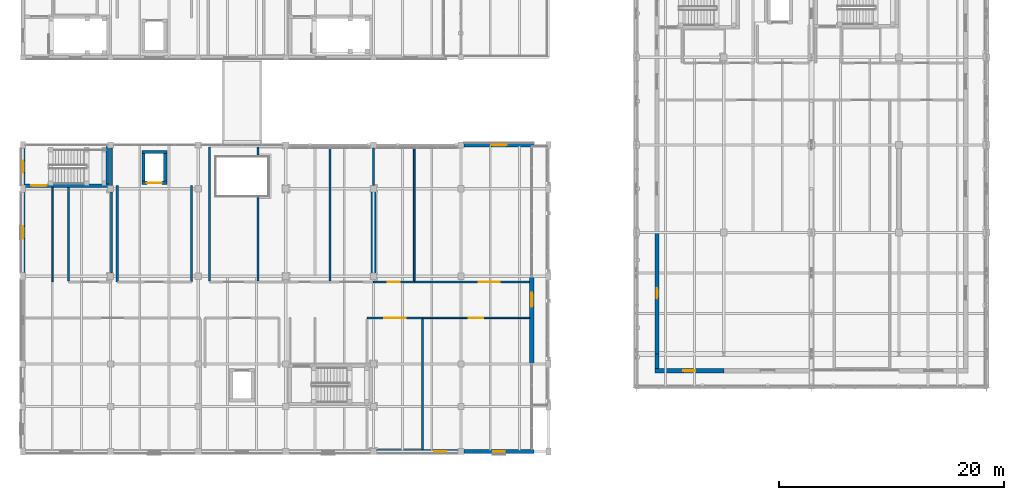
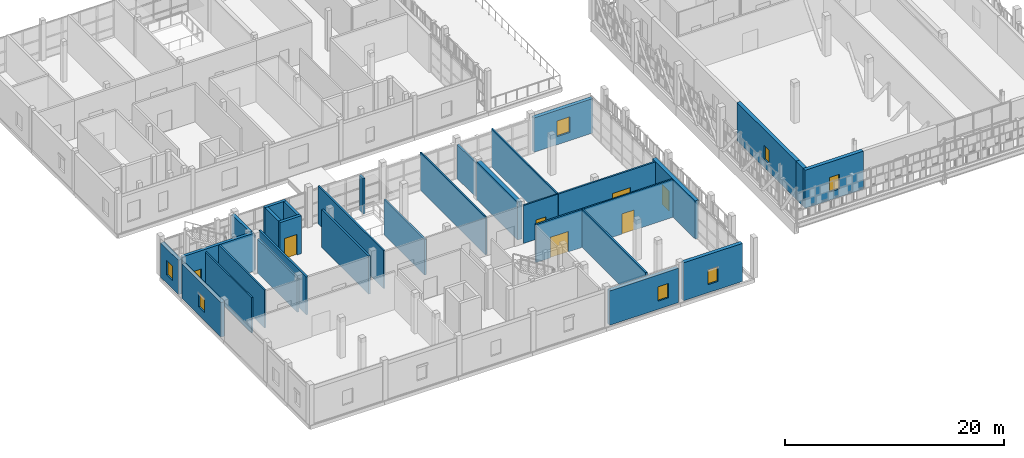
# One storey, part 92 of 119: 33 walls, 7 doors, 7 windows, 14 openings.
"""IFC4 building model written with IfcOpenShell, lengths in metres."""

from ifc_helpers import new_model, si_unit, direction, frame, frame_2d, origin, place, context, subcontext, project, spatial, rectangle, extrude, material, layer, layer_set, type_object, element, fill, save


model = new_model("IFC4")

# Units and contexts
model_context = context("Model", 3, precision=1e-05, world=origin(), true_north=direction((0.0, 1.0)))
body_context = subcontext(model_context, "Body", "Model", "MODEL_VIEW")
ifc_project = project(units=[si_unit("LENGTHUNIT", "METRE"), si_unit("AREAUNIT", "SQUARE_METRE"), si_unit("VOLUMEUNIT", "CUBIC_METRE"), si_unit("PLANEANGLEUNIT", "RADIAN"), si_unit("MASSUNIT", "GRAM", prefix="KILO")], contexts=[model_context])

# Site, building, storey
site_placement = place(None, origin())
site = spatial("IfcSite", under=ifc_project, at=site_placement, CompositionType="ELEMENT")
building_placement = place(site_placement, origin())
building = spatial("IfcBuilding", under=site, at=building_placement, Name="Celorna Specialist Clinic", CompositionType="ELEMENT")
storey_placement = place(building_placement, frame((0.0, 0.0, 9.60009765625)))
storey = spatial("IfcBuildingStorey", under=building, at=storey_placement, Name="L02", CompositionType="ELEMENT", Elevation=9.60009765625)

# Wall
ifc_material_1 = material(Name="Concrete C40/50", Category="concrete")
ifc_layer_1 = layer(ifc_material_1, 0.449951171875, Name="Concrete C40/50")
ifc_layer_set_1 = layer_set([ifc_layer_1], Name="Concrete C40/50")
wall_type_1 = type_object("IfcWallType", Name="WT-04", PredefinedType="SHEAR", material=ifc_layer_set_1)
wall_1_placement = place(storey_placement, frame((31.199951171875, 15.75, 0.0), z_axis=(0.0, 0.0, 1.0), x_axis=(0.0, 1.0, 0.0)))
element("IfcWall", 1, at=wall_1_placement, inside=storey, type_object=wall_type_1, Name="Structural RC shear wall WT-04 V5 L02", PredefinedType="SHEAR", context=body_context, shape_type="SweptSolid", body=[
    extrude(rectangle(XDim=7.5, YDim=0.449951171875, at=frame_2d((3.75, 0.0))), origin(), (0.0, 0.0, 1.0), 4.239990234375),
])

# Wall, opening, window
ifc_material_2 = material(Name="Terracotta masonry with insulated cavity", Category="masonry")
ifc_layer_2 = layer(ifc_material_2, 0.3798828125, Name="Terracotta masonry with insulated cavity")
ifc_layer_set_2 = layer_set([ifc_layer_2], Name="Terracotta masonry with insulated cavity")
wall_type_2 = type_object("IfcWallType", Name="WT-06", PredefinedType="STANDARD", material=ifc_layer_set_2)
wall_2_placement = place(storey_placement, frame((38.72509765625, 0.0, 0.0), z_axis=(0.0, 0.0, 1.0), x_axis=(-1.0, 0.0, 0.0)))
wall_2 = element("IfcWall", 2, at=wall_2_placement, inside=storey, type_object=wall_type_2, Name="External facade wall WT-06 #340", PredefinedType="STANDARD", context=body_context, shape_type="SweptSolid", body=[
    extrude(rectangle(XDim=7.25, YDim=0.3798828125, at=frame_2d((3.625, 0.0))), origin(), (0.0, 0.0, 1.0), 3.83984375),
])
opening_1_placement = place(wall_2_placement, frame((1.027587890625, 0.0, 0.89990234375)))
opening_1 = element("IfcOpeningElement", 3, at=opening_1_placement, cuts=wall_2, Name="Opening WN-03", PredefinedType="OPENING", context=body_context, shape_type="SweptSolid", body=[
    extrude(rectangle(XDim=1.10009765625, YDim=1.60009765625, at=frame_2d((0.550048828125, 0.800048828125))), frame((0.0, 0.199951171875, 0.0), z_axis=(0.0, -1.0, 0.0), x_axis=(1.0, 0.0, 0.0)), (0.0, 0.0, 1.0), 0.39990234375),
])
ifc_material_3 = material(Name="Thermally broken aluminium triple-glazed window", Category="aluminium")
window_type_1 = type_object("IfcWindowType", Name="WN-03", PartitioningType="SINGLE_PANEL", PredefinedType="WINDOW", material=ifc_material_3)
window_1_placement = place(opening_1_placement, origin())
window_1 = element("IfcWindow", 4, at=window_1_placement, inside=storey, type_object=window_type_1, Name="Facade window WN-03 #207", OverallHeight=1.60009765625, OverallWidth=1.10009765625, PartitioningType="SINGLE_PANEL", PredefinedType="WINDOW", context=body_context, shape_type="SweptSolid", body=[
    extrude(rectangle(XDim=1.10009765625, YDim=1.60009765625, at=frame_2d((0.550048828125, 0.800048828125))), frame((0.0, 0.030029296875, 0.0), z_axis=(0.0, -1.0, 0.0), x_axis=(1.0, 0.0, 0.0)), (0.0, 0.0, 1.0), 0.06005859375),
])
fill(opening_1, window_1)

wall_3_placement = place(storey_placement, frame((45.489990234375, 0.0, 0.0), z_axis=(0.0, 0.0, 1.0), x_axis=(-1.0, 0.0, 0.0)))
wall_3 = element("IfcWall", 5, at=wall_3_placement, inside=storey, type_object=wall_type_2, Name="External facade wall WT-06 #341", PredefinedType="STANDARD", context=body_context, shape_type="SweptSolid", body=[
    extrude(rectangle(XDim=6.215087890625, YDim=0.3798828125, at=frame_2d((3.107421875, 0.0))), origin(), (0.0, 0.0, 1.0), 4.239990234375),
])
opening_2_placement = place(wall_3_placement, frame((2.58251953125, 0.0, 0.89990234375)))
opening_2 = element("IfcOpeningElement", 6, at=opening_2_placement, cuts=wall_3, Name="Opening WN-21", PredefinedType="OPENING", context=body_context, shape_type="SweptSolid", body=[
    extrude(rectangle(XDim=1.050048828125, YDim=1.64990234375, at=frame_2d((0.52490234375, 0.824951171875))), frame((0.0, 0.199951171875, 0.0), z_axis=(0.0, -1.0, 0.0), x_axis=(1.0, 0.0, 0.0)), (0.0, 0.0, 1.0), 0.39990234375),
])
window_type_2 = type_object("IfcWindowType", Name="WN-21", PartitioningType="SINGLE_PANEL", PredefinedType="WINDOW", material=ifc_material_3)
window_2_placement = place(opening_2_placement, origin())
window_2 = element("IfcWindow", 7, at=window_2_placement, inside=storey, type_object=window_type_2, Name="Facade window WN-21 #208", OverallHeight=1.64990234375, OverallWidth=1.050048828125, PartitioningType="SINGLE_PANEL", PredefinedType="WINDOW", context=body_context, shape_type="SweptSolid", body=[
    extrude(rectangle(XDim=1.050048828125, YDim=1.64990234375, at=frame_2d((0.52490234375, 0.824951171875))), frame((0.0, 0.030029296875, 0.0), z_axis=(0.0, -1.0, 0.0), x_axis=(1.0, 0.0, 0.0)), (0.0, 0.0, 1.0), 0.06005859375),
])
fill(opening_2, window_2)

wall_4_placement = place(storey_placement, frame((39.27490234375, 27.300048828125, 0.0), z_axis=(0.0, 0.0, 1.0), x_axis=(1.0, 0.0, 0.0)))
wall_4 = element("IfcWall", 8, at=wall_4_placement, inside=storey, type_object=wall_type_2, Name="External facade wall WT-06 #342", PredefinedType="STANDARD", context=body_context, shape_type="SweptSolid", body=[
    extrude(rectangle(XDim=6.215087890625, YDim=0.3798828125, at=frame_2d((3.107421875, 0.0))), origin(), (0.0, 0.0, 1.0), 3.83984375),
])
opening_3_placement = place(wall_4_placement, frame((2.4326171875, 0.0, 0.89990234375)))
opening_3 = element("IfcOpeningElement", 9, at=opening_3_placement, cuts=wall_4, Name="Opening WN-07", PredefinedType="OPENING", context=body_context, shape_type="SweptSolid", body=[
    extrude(rectangle(XDim=1.35009765625, YDim=1.75, at=frame_2d((0.675048828125, 0.875))), frame((0.0, 0.199951171875, 0.0), z_axis=(0.0, -1.0, 0.0), x_axis=(1.0, 0.0, 0.0)), (0.0, 0.0, 1.0), 0.39990234375),
])
window_type_3 = type_object("IfcWindowType", Name="WN-07", PartitioningType="SINGLE_PANEL", PredefinedType="WINDOW", material=ifc_material_3)
window_3_placement = place(opening_3_placement, origin())
window_3 = element("IfcWindow", 10, at=window_3_placement, inside=storey, type_object=window_type_3, Name="Facade window WN-07 #209", OverallHeight=1.75, OverallWidth=1.35009765625, PartitioningType="SINGLE_PANEL", PredefinedType="WINDOW", context=body_context, shape_type="SweptSolid", body=[
    extrude(rectangle(XDim=1.35009765625, YDim=1.75, at=frame_2d((0.675048828125, 0.875))), frame((0.0, 0.030029296875, 0.0), z_axis=(0.0, -1.0, 0.0), x_axis=(1.0, 0.0, 0.0)), (0.0, 0.0, 1.0), 0.06005859375),
])
fill(opening_3, window_3)

wall_5_placement = place(storey_placement, frame((0.0, 15.925048828125, 0.0), z_axis=(0.0, 0.0, 1.0), x_axis=(0.0, 1.0, 0.0)))
wall_5 = element("IfcWall", 11, at=wall_5_placement, inside=storey, type_object=wall_type_2, Name="External facade wall WT-06 #346", PredefinedType="STANDARD", context=body_context, shape_type="SweptSolid", body=[
    extrude(rectangle(XDim=7.14990234375, YDim=0.3798828125, at=frame_2d((3.574951171875, 0.0))), origin(), (0.0, 0.0, 1.0), 3.83984375),
])
opening_4_placement = place(wall_5_placement, frame((3.02490234375, 0.0, 0.89990234375)))
opening_4 = element("IfcOpeningElement", 12, at=opening_4_placement, cuts=wall_5, Name="Opening WN-03", PredefinedType="OPENING", context=body_context, shape_type="SweptSolid", body=[
    extrude(rectangle(XDim=1.10009765625, YDim=1.60009765625, at=frame_2d((0.550048828125, 0.800048828125))), frame((0.0, 0.199951171875, 0.0), z_axis=(0.0, -1.0, 0.0), x_axis=(1.0, 0.0, 0.0)), (0.0, 0.0, 1.0), 0.39990234375),
])
window_4_placement = place(opening_4_placement, origin())
window_4 = element("IfcWindow", 13, at=window_4_placement, inside=storey, type_object=window_type_1, Name="Facade window WN-03 #212", OverallHeight=1.60009765625, OverallWidth=1.10009765625, PartitioningType="SINGLE_PANEL", PredefinedType="WINDOW", context=body_context, shape_type="SweptSolid", body=[
    extrude(rectangle(XDim=1.10009765625, YDim=1.60009765625, at=frame_2d((0.550048828125, 0.800048828125))), frame((0.0, 0.030029296875, 0.0), z_axis=(0.0, -1.0, 0.0), x_axis=(1.0, 0.0, 0.0)), (0.0, 0.0, 1.0), 0.06005859375),
])
fill(opening_4, window_4)

wall_6_placement = place(storey_placement, frame((0.0, 23.72509765625, 0.0), z_axis=(0.0, 0.0, 1.0), x_axis=(0.0, 1.0, 0.0)))
wall_6 = element("IfcWall", 14, at=wall_6_placement, inside=storey, type_object=wall_type_2, Name="External facade wall WT-06 #347", PredefinedType="STANDARD", context=body_context, shape_type="SweptSolid", body=[
    extrude(rectangle(XDim=3.25, YDim=0.3798828125, at=frame_2d((1.625, 0.0))), origin(), (0.0, 0.0, 1.0), 3.83984375),
])
opening_5_placement = place(wall_6_placement, frame((1.10009765625, 0.0, 0.89990234375)))
opening_5 = element("IfcOpeningElement", 15, at=opening_5_placement, cuts=wall_6, Name="Opening WN-21", PredefinedType="OPENING", context=body_context, shape_type="SweptSolid", body=[
    extrude(rectangle(XDim=1.050048828125, YDim=1.64990234375, at=frame_2d((0.52490234375, 0.824951171875))), frame((0.0, 0.199951171875, 0.0), z_axis=(0.0, -1.0, 0.0), x_axis=(1.0, 0.0, 0.0)), (0.0, 0.0, 1.0), 0.39990234375),
])
window_5_placement = place(opening_5_placement, origin())
window_5 = element("IfcWindow", 16, at=window_5_placement, inside=storey, type_object=window_type_2, Name="Facade window WN-21 #213", OverallHeight=1.64990234375, OverallWidth=1.050048828125, PartitioningType="SINGLE_PANEL", PredefinedType="WINDOW", context=body_context, shape_type="SweptSolid", body=[
    extrude(rectangle(XDim=1.050048828125, YDim=1.64990234375, at=frame_2d((0.52490234375, 0.824951171875))), frame((0.0, 0.030029296875, 0.0), z_axis=(0.0, -1.0, 0.0), x_axis=(1.0, 0.0, 0.0)), (0.0, 0.0, 1.0), 0.06005859375),
])
fill(opening_5, window_5)

# Wall, opening, door
wall_7_placement = place(storey_placement, frame((45.300048828125, 15.60009765625, 0.0), z_axis=(0.0, 0.0, 1.0), x_axis=(0.0, -1.0, 0.0)))
wall_7 = element("IfcWall", 17, at=wall_7_placement, inside=storey, type_object=wall_type_2, Name="External facade wall WT-06 #348", PredefinedType="STANDARD", context=body_context, shape_type="SweptSolid", body=[
    extrude(rectangle(XDim=7.800048828125, YDim=0.3798828125, at=frame_2d((3.89990234375, 0.0))), origin(), (0.0, 0.0, 1.0), 4.239990234375),
])
opening_6_placement = place(wall_7_placement, frame((1.47509765625, 0.0, 0.0)))
opening_6 = element("IfcOpeningElement", 18, at=opening_6_placement, cuts=wall_7, Name="Opening DR-13", PredefinedType="OPENING", context=body_context, shape_type="SweptSolid", body=[
    extrude(rectangle(XDim=1.25, YDim=2.199951171875, at=frame_2d((0.625, 1.10009765625))), frame((0.0, 0.199951171875, 0.0), z_axis=(0.0, -1.0, 0.0), x_axis=(1.0, 0.0, 0.0)), (0.0, 0.0, 1.0), 0.39990234375),
])
ifc_material_4 = material(Name="Thermally broken glazed terrace door")
door_type_1 = type_object("IfcDoorType", Name="DR-13", OperationType="NOTDEFINED", PredefinedType="DOOR", material=ifc_material_4)
door_1_placement = place(opening_6_placement, frame((1.25, 0.0, 0.0), z_axis=(0.0, 0.0, 1.0), x_axis=(-1.0, 0.0, 0.0)))
door_1 = element("IfcDoor", 19, at=door_1_placement, inside=storey, type_object=door_type_1, Name="Terrace access door TER-V5-VER-L02", OperationType="SINGLE_SWING_LEFT", OverallHeight=2.199951171875, OverallWidth=1.25, PredefinedType="DOOR", context=body_context, shape_type="SweptSolid", body=[
    extrude(rectangle(XDim=1.25, YDim=2.199951171875, at=frame_2d((0.625, 1.10009765625))), frame((0.0, 0.02490234375, 0.0), z_axis=(0.0, -1.0, 0.0), x_axis=(1.0, 0.0, 0.0)), (0.0, 0.0, 1.0), 0.050048828125),
])
fill(opening_6, door_1)

# Wall, opening, window
wall_8_placement = place(storey_placement, frame((62.39990234375, 7.199951171875, 0.0), z_axis=(0.0, 0.0, 1.0), x_axis=(-1.0, 0.0, 0.0)))
wall_8 = element("IfcWall", 20, at=wall_8_placement, inside=storey, type_object=wall_type_2, Name="External facade wall WT-06 #391", PredefinedType="STANDARD", context=body_context, shape_type="SweptSolid", body=[
    extrude(rectangle(XDim=6.139892578125, YDim=0.3798828125, at=frame_2d((3.06982421875, 0.0))), origin(), (0.0, 0.0, 1.0), 4.239990234375),
])
opening_7_placement = place(wall_8_placement, frame((2.544921875, 0.0, 0.89990234375)))
opening_7 = element("IfcOpeningElement", 21, at=opening_7_placement, cuts=wall_8, Name="Opening WN-21", PredefinedType="OPENING", context=body_context, shape_type="SweptSolid", body=[
    extrude(rectangle(XDim=1.050048828125, YDim=1.64990234375, at=frame_2d((0.52490234375, 0.824951171875))), frame((0.0, 0.199951171875, 0.0), z_axis=(0.0, -1.0, 0.0), x_axis=(1.0, 0.0, 0.0)), (0.0, 0.0, 1.0), 0.39990234375),
])
window_6_placement = place(opening_7_placement, origin())
window_6 = element("IfcWindow", 22, at=window_6_placement, inside=storey, type_object=window_type_2, Name="Facade window WN-21 #254", OverallHeight=1.64990234375, OverallWidth=1.050048828125, PartitioningType="SINGLE_PANEL", PredefinedType="WINDOW", context=body_context, shape_type="SweptSolid", body=[
    extrude(rectangle(XDim=1.050048828125, YDim=1.64990234375, at=frame_2d((0.52490234375, 0.824951171875))), frame((0.0, 0.030029296875, 0.0), z_axis=(0.0, -1.0, 0.0), x_axis=(1.0, 0.0, 0.0)), (0.0, 0.0, 1.0), 0.06005859375),
])
fill(opening_7, window_6)

# Wall
wall_9_placement = place(storey_placement, frame((56.449951171875, 7.389892578125, 0.0), z_axis=(0.0, 0.0, 1.0), x_axis=(0.0, 1.0, 0.0)))
element("IfcWall", 23, at=wall_9_placement, inside=storey, type_object=wall_type_2, Name="External facade wall WT-06 #398", PredefinedType="STANDARD", context=body_context, shape_type="SweptSolid", body=[
    extrude(rectangle(XDim=1.31005859375, YDim=0.3798828125, at=frame_2d((0.655029296875, 0.0))), origin(), (0.0, 0.0, 1.0), 4.239990234375),
])

# Wall, opening, window
wall_10_placement = place(storey_placement, frame((56.449951171875, 8.699951171875, 0.0), z_axis=(0.0, 0.0, 1.0), x_axis=(0.0, 1.0, 0.0)))
wall_10 = element("IfcWall", 24, at=wall_10_placement, inside=storey, type_object=wall_type_2, Name="External facade wall WT-06 #399", PredefinedType="STANDARD", context=body_context, shape_type="SweptSolid", body=[
    extrude(rectangle(XDim=10.800048828125, YDim=0.3798828125, at=frame_2d((5.39990234375, 0.0))), origin(), (0.0, 0.0, 1.0), 4.239990234375),
])
opening_8_placement = place(wall_10_placement, frame((4.949951171875, 0.0, 0.89990234375)))
opening_8 = element("IfcOpeningElement", 25, at=opening_8_placement, cuts=wall_10, Name="Opening WN-01", PredefinedType="OPENING", context=body_context, shape_type="SweptSolid", body=[
    extrude(rectangle(XDim=0.89990234375, YDim=1.60009765625, at=frame_2d((0.449951171875, 0.800048828125))), frame((0.0, 0.199951171875, 0.0), z_axis=(0.0, -1.0, 0.0), x_axis=(1.0, 0.0, 0.0)), (0.0, 0.0, 1.0), 0.39990234375),
])
window_type_4 = type_object("IfcWindowType", Name="WN-01", PartitioningType="SINGLE_PANEL", PredefinedType="WINDOW", material=ifc_material_3)
window_7_placement = place(opening_8_placement, origin())
window_7 = element("IfcWindow", 26, at=window_7_placement, inside=storey, type_object=window_type_4, Name="Facade window WN-01 #261", OverallHeight=1.60009765625, OverallWidth=0.89990234375, PartitioningType="SINGLE_PANEL", PredefinedType="WINDOW", context=body_context, shape_type="SweptSolid", body=[
    extrude(rectangle(XDim=0.89990234375, YDim=1.60009765625, at=frame_2d((0.449951171875, 0.800048828125))), frame((0.0, 0.030029296875, 0.0), z_axis=(0.0, -1.0, 0.0), x_axis=(1.0, 0.0, 0.0)), (0.0, 0.0, 1.0), 0.06005859375),
])
fill(opening_8, window_7)

# Wall, opening, door
ifc_material_5 = material(Name="Concrete C35/45", Category="concrete")
ifc_layer_3 = layer(ifc_material_5, 0.300048828125, Name="Concrete C35/45")
ifc_layer_set_3 = layer_set([ifc_layer_3], Name="Concrete C35/45")
wall_type_3 = type_object("IfcWallType", Name="WT-08", PredefinedType="SHEAR", material=ifc_layer_set_3)
wall_11_placement = place(storey_placement, frame((0.14990234375, 23.669921875, 0.0), z_axis=(0.0, 0.0, 1.0), x_axis=(1.0, 0.0, 0.0)))
wall_11 = element("IfcWall", 27, at=wall_11_placement, inside=storey, type_object=wall_type_3, Name="Stair ST-04 RC core wall L02 south", PredefinedType="SHEAR", context=body_context, shape_type="SweptSolid", body=[
    extrude(rectangle(XDim=7.56005859375, YDim=0.300048828125, at=frame_2d((3.780029296875, 0.0))), origin(), (0.0, 0.0, 1.0), 4.239990234375),
])
opening_9_placement = place(wall_11_placement, frame((0.56005859375, 0.0, 0.0)))
opening_9 = element("IfcOpeningElement", 28, at=opening_9_placement, cuts=wall_11, Name="Opening DR-10", PredefinedType="OPENING", context=body_context, shape_type="SweptSolid", body=[
    extrude(rectangle(XDim=1.39990234375, YDim=2.199951171875, at=frame_2d((0.699951171875, 1.10009765625))), frame((0.0, 0.159912109375, 0.0), z_axis=(0.0, -1.0, 0.0), x_axis=(1.0, 0.0, 0.0)), (0.0, 0.0, 1.0), 0.320068359375),
])
ifc_material_6 = material(Name="Protected exit stair fire door")
door_type_2 = type_object("IfcDoorType", Name="DR-10", OperationType="NOTDEFINED", PredefinedType="DOOR", material=ifc_material_6)
door_2_placement = place(opening_9_placement, origin())
door_2 = element("IfcDoor", 29, at=door_2_placement, inside=storey, type_object=door_type_2, Name="Protected exit stair door ST-04 L02", OperationType="SINGLE_SWING_LEFT", OverallHeight=2.199951171875, OverallWidth=1.39990234375, PredefinedType="DOOR", context=body_context, shape_type="SweptSolid", body=[
    extrude(rectangle(XDim=1.39990234375, YDim=2.199951171875, at=frame_2d((0.699951171875, 1.10009765625))), frame((0.0, 0.02490234375, 0.0), z_axis=(0.0, -1.0, 0.0), x_axis=(1.0, 0.0, 0.0)), (0.0, 0.0, 1.0), 0.050048828125),
])
fill(opening_9, door_2)

# Wall
wall_12_placement = place(storey_placement, frame((7.56005859375, 23.820068359375, 0.0), z_axis=(0.0, 0.0, 1.0), x_axis=(0.0, 1.0, 0.0)))
element("IfcWall", 30, at=wall_12_placement, inside=storey, type_object=wall_type_3, Name="Stair ST-04 RC core wall L02 east", PredefinedType="SHEAR", context=body_context, shape_type="SweptSolid", body=[
    extrude(rectangle(XDim=3.329833984375, YDim=0.300048828125, at=frame_2d((1.6650390625, 0.0))), origin(), (0.0, 0.0, 1.0), 4.239990234375),
])

# Wall, opening, door
wall_13_placement = place(storey_placement, frame((10.574951171875, 23.925048828125, 0.0), z_axis=(0.0, 0.0, 1.0), x_axis=(1.0, 0.0, 0.0)))
wall_13 = element("IfcWall", 31, at=wall_13_placement, inside=storey, type_object=wall_type_3, Name="Lift LF-04 RC shaft wall L02", PredefinedType="SHEAR", context=body_context, shape_type="SweptSolid", body=[
    extrude(rectangle(XDim=2.25, YDim=0.300048828125, at=frame_2d((1.125, 0.0))), origin(), (0.0, 0.0, 1.0), 4.239990234375),
])
opening_10_placement = place(wall_13_placement, frame((0.449951171875, 0.0, 0.0)))
opening_10 = element("IfcOpeningElement", 32, at=opening_10_placement, cuts=wall_13, Name="Opening LD-02", PredefinedType="OPENING", context=body_context, shape_type="SweptSolid", body=[
    extrude(rectangle(XDim=1.35009765625, YDim=2.300048828125, at=frame_2d((0.675048828125, 1.14990234375))), frame((0.0, 0.159912109375, 0.0), z_axis=(0.0, -1.0, 0.0), x_axis=(1.0, 0.0, 0.0)), (0.0, 0.0, 1.0), 0.320068359375),
])
ifc_material_7 = material(Name="Firefighting stretcher lift landing sliding door")
door_type_3 = type_object("IfcDoorType", Name="LD-02", OperationType="DOUBLE_DOOR_SLIDING", PredefinedType="DOOR", material=ifc_material_7)
door_3_placement = place(opening_10_placement, origin())
door_3 = element("IfcDoor", 33, at=door_3_placement, inside=storey, type_object=door_type_3, Name="Lift LF-04 sliding landing door L02", OperationType="DOUBLE_DOOR_SLIDING", OverallHeight=2.300048828125, OverallWidth=1.35009765625, PredefinedType="DOOR", context=body_context, shape_type="SweptSolid", body=[
    extrude(rectangle(XDim=1.35009765625, YDim=2.300048828125, at=frame_2d((0.675048828125, 1.14990234375))), frame((0.0, 0.02490234375, 0.0), z_axis=(0.0, -1.0, 0.0), x_axis=(1.0, 0.0, 0.0)), (0.0, 0.0, 1.0), 0.050048828125),
])
fill(opening_10, door_3)

# Walls
wall_14_placement = place(storey_placement, frame((12.824951171875, 26.675048828125, 0.0), z_axis=(0.0, 0.0, 1.0), x_axis=(-1.0, 0.0, 0.0)))
element("IfcWall", 34, at=wall_14_placement, inside=storey, type_object=wall_type_3, Name="Lift LF-04 RC shaft wall L02", PredefinedType="SHEAR", context=body_context, shape_type="SweptSolid", body=[
    extrude(rectangle(XDim=2.25, YDim=0.300048828125, at=frame_2d((1.125, 0.0))), origin(), (0.0, 0.0, 1.0), 4.239990234375),
])
for number, where, z_axis, x_axis, name in (
    (35, (10.72509765625, 26.52490234375, 0.0), (0.0, 0.0, 1.0), (0.0, -1.0, 0.0), "Lift LF-04 RC shaft wall L02"),
    (36, (12.675048828125, 24.074951171875, 0.0), (0.0, 0.0, 1.0), (0.0, 1.0, 0.0), "Lift LF-04 RC shaft wall L02"),
):
    element("IfcWall", number, at=place(storey_placement, frame(where, z_axis=z_axis, x_axis=x_axis)), inside=storey, type_object=wall_type_3, Name=name, PredefinedType="SHEAR", context=body_context, shape_type="SweptSolid", body=[
        extrude(rectangle(XDim=2.449951171875, YDim=0.300048828125, at=frame_2d((1.22509765625, 0.0))), origin(), (0.0, 0.0, 1.0), 4.239990234375),
    ])
ifc_layer_4 = layer(ifc_material_5, 0.199951171875, Name="Concrete C35/45")
ifc_layer_set_4 = layer_set([ifc_layer_4], Name="Concrete C35/45")
wall_type_4 = type_object("IfcWallType", Name="WT-12", PredefinedType="SOLIDWALL", material=ifc_layer_set_4)
for number, where, z_axis, x_axis, name in (
    (37, (8.39990234375, 23.699951171875, 0.0), (0.0, 0.0, 1.0), (0.0, -1.0, 0.0), "Firefighting lobby wall LF-04 L02"),
    (38, (15.0, 15.10009765625, 0.0), (0.0, 0.0, 1.0), (0.0, 1.0, 0.0), "Firefighting lobby wall LF-04 L02"),
):
    element("IfcWall", number, at=place(storey_placement, frame(where, z_axis=z_axis, x_axis=x_axis)), inside=storey, type_object=wall_type_4, Name=name, PredefinedType="SOLIDWALL", context=body_context, shape_type="SweptSolid", body=[
        extrude(rectangle(XDim=8.599853515625, YDim=0.199951171875, at=frame_2d((4.2998046875, 0.0))), origin(), (0.0, 0.0, 1.0), 4.239990234375),
    ])

# Wall, opening, door
ifc_material_8 = material(Name="Acoustic masonry clinical partition", Category="masonry")
ifc_layer_5 = layer(ifc_material_8, 0.179931640625, Name="Acoustic masonry clinical partition")
ifc_layer_set_5 = layer_set([ifc_layer_5], Name="Acoustic masonry clinical partition")
wall_type_5 = type_object("IfcWallType", Name="WT-13", PredefinedType="PARTITIONING", material=ifc_layer_set_5)
wall_15_placement = place(storey_placement, frame((35.590087890625, 11.89990234375, 0.0), z_axis=(0.0, 0.0, 1.0), x_axis=(-1.0, 0.0, 0.0)))
wall_15 = element("IfcWall", 39, at=wall_15_placement, inside=storey, type_object=wall_type_5, Name="Interior partition WT-13 L02-055", PredefinedType="PARTITIONING", context=body_context, shape_type="SweptSolid", body=[
    extrude(rectangle(XDim=4.9501953125, YDim=0.179931640625, at=frame_2d((2.47509765625, 0.0))), origin(), (0.0, 0.0, 1.0), 4.239990234375),
])
opening_11_placement = place(wall_15_placement, frame((1.52490234375, 0.0, 0.0)))
opening_11 = element("IfcOpeningElement", 40, at=opening_11_placement, cuts=wall_15, Name="Opening DR-17", PredefinedType="OPENING", context=body_context, shape_type="SweptSolid", body=[
    extrude(rectangle(XDim=1.89990234375, YDim=2.300048828125, at=frame_2d((0.949951171875, 1.14990234375))), frame((0.0, 0.099853515625, 0.0), z_axis=(0.0, -1.0, 0.0), x_axis=(1.0, 0.0, 0.0)), (0.0, 0.0, 1.0), 0.199951171875),
])
ifc_material_9 = material(Name="Automatic sliding surgical theatre door")
door_type_4 = type_object("IfcDoorType", Name="DR-17", OperationType="DOUBLE_DOOR_SLIDING", PredefinedType="DOOR", material=ifc_material_9)
door_4_placement = place(opening_11_placement, origin())
door_4 = element("IfcDoor", 41, at=door_4_placement, inside=storey, type_object=door_type_4, Name="Minor Procedures Operating Suite door L02-055", OperationType="DOUBLE_DOOR_SLIDING", OverallHeight=2.300048828125, OverallWidth=1.89990234375, PredefinedType="DOOR", context=body_context, shape_type="SweptSolid", body=[
    extrude(rectangle(XDim=1.89990234375, YDim=2.300048828125, at=frame_2d((0.949951171875, 1.14990234375))), frame((0.0, 0.02490234375, 0.0), z_axis=(0.0, -1.0, 0.0), x_axis=(1.0, 0.0, 0.0)), (0.0, 0.0, 1.0), 0.050048828125),
])
fill(opening_11, door_4)

wall_16_placement = place(storey_placement, frame((34.840087890625, 15.10009765625, 0.0), z_axis=(0.0, 0.0, 1.0), x_axis=(1.0, 0.0, 0.0)))
wall_16 = element("IfcWall", 42, at=wall_16_placement, inside=storey, type_object=wall_type_5, Name="Interior partition WT-13 L02-062", PredefinedType="PARTITIONING", context=body_context, shape_type="SweptSolid", body=[
    extrude(rectangle(XDim=10.27001953125, YDim=0.179931640625, at=frame_2d((5.135009765625, 0.0))), origin(), (0.0, 0.0, 1.0), 4.239990234375),
])
opening_12_placement = place(wall_16_placement, frame((5.7255859375, 0.0, 0.0)))
opening_12 = element("IfcOpeningElement", 43, at=opening_12_placement, cuts=wall_16, Name="Opening DR-17", PredefinedType="OPENING", context=body_context, shape_type="SweptSolid", body=[
    extrude(rectangle(XDim=1.89990234375, YDim=2.300048828125, at=frame_2d((0.949951171875, 1.14990234375))), frame((0.0, 0.099853515625, 0.0), z_axis=(0.0, -1.0, 0.0), x_axis=(1.0, 0.0, 0.0)), (0.0, 0.0, 1.0), 0.199951171875),
])
door_5_placement = place(opening_12_placement, origin())
door_5 = element("IfcDoor", 44, at=door_5_placement, inside=storey, type_object=door_type_4, Name="Day Surgery Operating Theatre door L02-062", OperationType="DOUBLE_DOOR_SLIDING", OverallHeight=2.300048828125, OverallWidth=1.89990234375, PredefinedType="DOOR", context=body_context, shape_type="SweptSolid", body=[
    extrude(rectangle(XDim=1.89990234375, YDim=2.300048828125, at=frame_2d((0.949951171875, 1.14990234375))), frame((0.0, 0.02490234375, 0.0), z_axis=(0.0, -1.0, 0.0), x_axis=(1.0, 0.0, 0.0)), (0.0, 0.0, 1.0), 0.050048828125),
])
fill(opening_12, door_5)

# Walls
wall_17_placement = place(storey_placement, frame((35.590087890625, 0.18994140625, 0.0), z_axis=(0.0, 0.0, 1.0), x_axis=(0.0, 1.0, 0.0)))
element("IfcWall", 45, at=wall_17_placement, inside=storey, type_object=wall_type_5, Name="Room dividing partition WT-13 L02-055", PredefinedType="PARTITIONING", context=body_context, shape_type="SweptSolid", body=[
    extrude(rectangle(XDim=11.6201171875, YDim=0.179931640625, at=frame_2d((5.81005859375, 0.0))), origin(), (0.0, 0.0, 1.0), 4.239990234375),
])
wall_18_placement = place(storey_placement, frame((4.0400390625, 15.18994140625, 0.0), z_axis=(0.0, 0.0, 1.0), x_axis=(0.0, 1.0, 0.0)))
element("IfcWall", 46, at=wall_18_placement, inside=storey, type_object=wall_type_5, Name="Room dividing partition WT-13 L02-057", PredefinedType="PARTITIONING", context=body_context, shape_type="SweptSolid", body=[
    extrude(rectangle(XDim=8.330078125, YDim=0.179931640625, at=frame_2d((4.1650390625, 0.0))), origin(), (0.0, 0.0, 1.0), 4.239990234375),
])
wall_19_placement = place(storey_placement, frame((7.889892578125, 15.875, 0.0), z_axis=(0.0, 0.0, 1.0), x_axis=(0.0, 1.0, 0.0)))
element("IfcWall", 47, at=wall_19_placement, inside=storey, type_object=wall_type_5, Name="Room dividing partition WT-13 L02-057", PredefinedType="PARTITIONING", context=body_context, shape_type="SweptSolid", body=[
    extrude(rectangle(XDim=7.25, YDim=0.179931640625, at=frame_2d((3.625, 0.0))), origin(), (0.0, 0.0, 1.0), 3.789794921875),
])
wall_20_placement = place(storey_placement, frame((7.889892578125, 23.675048828125, 0.0), z_axis=(0.0, 0.0, 1.0), x_axis=(0.0, 1.0, 0.0)))
element("IfcWall", 48, at=wall_20_placement, inside=storey, type_object=wall_type_5, Name="Room dividing partition WT-13 L02-057", PredefinedType="PARTITIONING", context=body_context, shape_type="SweptSolid", body=[
    extrude(rectangle(XDim=3.349853515625, YDim=0.179931640625, at=frame_2d((1.6748046875, 0.0))), origin(), (0.0, 0.0, 1.0), 3.789794921875),
])
wall_21_placement = place(storey_placement, frame((16.590087890625, 15.18994140625, 0.0), z_axis=(0.0, 0.0, 1.0), x_axis=(0.0, 1.0, 0.0)))
element("IfcWall", 49, at=wall_21_placement, inside=storey, type_object=wall_type_5, Name="Room dividing partition WT-13 L02-058", PredefinedType="PARTITIONING", context=body_context, shape_type="SweptSolid", body=[
    extrude(rectangle(XDim=11.920166015625, YDim=0.179931640625, at=frame_2d((5.9599609375, 0.0))), origin(), (0.0, 0.0, 1.0), 4.239990234375),
])
wall_22_placement = place(storey_placement, frame((20.93994140625, 15.18994140625, 0.0), z_axis=(0.0, 0.0, 1.0), x_axis=(0.0, 1.0, 0.0)))
element("IfcWall", 50, at=wall_22_placement, inside=storey, type_object=wall_type_5, Name="Room dividing partition WT-13 L02-058", PredefinedType="PARTITIONING", context=body_context, shape_type="SweptSolid", body=[
    extrude(rectangle(XDim=7.41015625, YDim=0.179931640625, at=frame_2d((3.705078125, 0.0))), origin(), (0.0, 0.0, 1.0), 3.93994140625),
])
wall_23_placement = place(storey_placement, frame((20.93994140625, 26.39990234375, 0.0), z_axis=(0.0, 0.0, 1.0), x_axis=(0.0, 1.0, 0.0)))
element("IfcWall", 51, at=wall_23_placement, inside=storey, type_object=wall_type_5, Name="Room dividing partition WT-13 L02-058", PredefinedType="PARTITIONING", context=body_context, shape_type="SweptSolid", body=[
    extrude(rectangle(XDim=0.710205078125, YDim=0.179931640625, at=frame_2d((0.35498046875, 0.0))), origin(), (0.0, 0.0, 1.0), 3.93994140625),
])
wall_24_placement = place(storey_placement, frame((31.18994140625, 23.675048828125, 0.0), z_axis=(0.0, 0.0, 1.0), x_axis=(0.0, 1.0, 0.0)))
element("IfcWall", 52, at=wall_24_placement, inside=storey, type_object=wall_type_5, Name="Room dividing partition WT-13 L02-060", PredefinedType="PARTITIONING", context=body_context, shape_type="SweptSolid", body=[
    extrude(rectangle(XDim=3.349853515625, YDim=0.179931640625, at=frame_2d((1.6748046875, 0.0))), origin(), (0.0, 0.0, 1.0), 3.789794921875),
])
ifc_material_10 = material(Name="Fire-rated gypsum board partition")
ifc_layer_6 = layer(ifc_material_10, 0.14990234375, Name="Fire-rated gypsum board partition")
ifc_layer_set_6 = layer_set([ifc_layer_6], Name="Fire-rated gypsum board partition")
wall_type_6 = type_object("IfcWallType", Name="WT-14", PredefinedType="PARTITIONING", material=ifc_layer_set_6)
wall_25_placement = place(storey_placement, frame((2.610107421875, 15.10009765625, 0.0), z_axis=(0.0, 0.0, 1.0), x_axis=(0.0, 1.0, 0.0)))
element("IfcWall", 53, at=wall_25_placement, inside=storey, type_object=wall_type_6, Name="Corridor spur partition WT-14", PredefinedType="PARTITIONING", context=body_context, shape_type="SweptSolid", body=[
    extrude(rectangle(XDim=8.419921875, YDim=0.14990234375, at=frame_2d((4.2099609375, 0.0))), origin(), (0.0, 0.0, 1.0), 3.93994140625),
])

# Wall, opening, door
wall_26_placement = place(storey_placement, frame((45.110107421875, 11.89990234375, 0.0), z_axis=(0.0, 0.0, 1.0), x_axis=(-1.0, 0.0, 0.0)))
wall_26 = element("IfcWall", 54, at=wall_26_placement, inside=storey, type_object=wall_type_6, Name="Interior partition WT-14 L02-056", PredefinedType="PARTITIONING", context=body_context, shape_type="SweptSolid", body=[
    extrude(rectangle(XDim=9.52001953125, YDim=0.14990234375, at=frame_2d((4.760009765625, 0.0))), origin(), (0.0, 0.0, 1.0), 4.239990234375),
])
opening_13_placement = place(wall_26_placement, frame((4.1201171875, 0.0, 0.0)))
opening_13 = element("IfcOpeningElement", 55, at=opening_13_placement, cuts=wall_26, Name="Opening DR-22", PredefinedType="OPENING", context=body_context, shape_type="SweptSolid", body=[
    extrude(rectangle(XDim=1.280029296875, YDim=2.25, at=frame_2d((0.64013671875, 1.125))), frame((0.0, 0.0849609375, 0.0), z_axis=(0.0, -1.0, 0.0), x_axis=(1.0, 0.0, 0.0)), (0.0, 0.0, 1.0), 0.169921875),
])
ifc_material_11 = material(Name="Diagnostic procedure room door")
door_type_5 = type_object("IfcDoorType", Name="DR-22", OperationType="NOTDEFINED", PredefinedType="DOOR", material=ifc_material_11)
door_6_placement = place(opening_13_placement, origin())
door_6 = element("IfcDoor", 56, at=door_6_placement, inside=storey, type_object=door_type_5, Name="Post-Anaesthesia Recovery Suite door L02-056", OperationType="SINGLE_SWING_LEFT", OverallHeight=2.25, OverallWidth=1.280029296875, PredefinedType="DOOR", context=body_context, shape_type="SweptSolid", body=[
    extrude(rectangle(XDim=1.280029296875, YDim=2.25, at=frame_2d((0.64013671875, 1.125))), frame((0.0, 0.02490234375, 0.0), z_axis=(0.0, -1.0, 0.0), x_axis=(1.0, 0.0, 0.0)), (0.0, 0.0, 1.0), 0.050048828125),
])
fill(opening_13, door_6)

wall_27_placement = place(storey_placement, frame((31.18994140625, 15.10009765625, 0.0), z_axis=(0.0, 0.0, 1.0), x_axis=(1.0, 0.0, 0.0)))
wall_27 = element("IfcWall", 57, at=wall_27_placement, inside=storey, type_object=wall_type_6, Name="Interior partition WT-14 L02-061", PredefinedType="PARTITIONING", context=body_context, shape_type="SweptSolid", body=[
    extrude(rectangle(XDim=3.650146484375, YDim=0.14990234375, at=frame_2d((1.8251953125, 0.0))), origin(), (0.0, 0.0, 1.0), 4.239990234375),
])
opening_14_placement = place(wall_27_placement, frame((1.300048828125, 0.0, 0.0)))
opening_14 = element("IfcOpeningElement", 58, at=opening_14_placement, cuts=wall_27, Name="Opening DR-05", PredefinedType="OPENING", context=body_context, shape_type="SweptSolid", body=[
    extrude(rectangle(XDim=1.050048828125, YDim=2.14990234375, at=frame_2d((0.52490234375, 1.074951171875))), frame((0.0, 0.0849609375, 0.0), z_axis=(0.0, -1.0, 0.0), x_axis=(1.0, 0.0, 0.0)), (0.0, 0.0, 1.0), 0.169921875),
])
ifc_material_12 = material(Name="Timber examination room door", Category="wood")
door_type_6 = type_object("IfcDoorType", Name="DR-05", OperationType="NOTDEFINED", PredefinedType="DOOR", material=ifc_material_12)
door_7_placement = place(opening_14_placement, origin())
door_7 = element("IfcDoor", 59, at=door_7_placement, inside=storey, type_object=door_type_6, Name="Post-Anaesthesia Recovery Suite door L02-061", OperationType="SINGLE_SWING_RIGHT", OverallHeight=2.14990234375, OverallWidth=1.050048828125, PredefinedType="DOOR", context=body_context, shape_type="SweptSolid", body=[
    extrude(rectangle(XDim=1.050048828125, YDim=2.14990234375, at=frame_2d((0.52490234375, 1.074951171875))), frame((0.0, 0.02490234375, 0.0), z_axis=(0.0, -1.0, 0.0), x_axis=(1.0, 0.0, 0.0)), (0.0, 0.0, 1.0), 0.050048828125),
])
fill(opening_14, door_7)

# Walls
for number, where, z_axis, x_axis, name in (
    (60, (27.340087890625, 15.18994140625, 0.0), (0.0, 0.0, 1.0), (0.0, 1.0, 0.0), "Room dividing partition WT-14 L02-059"),
    (61, (34.840087890625, 15.18994140625, 0.0), (0.0, 0.0, 1.0), (0.0, 1.0, 0.0), "Room dividing partition WT-14 L02-061"),
):
    element("IfcWall", number, at=place(storey_placement, frame(where, z_axis=z_axis, x_axis=x_axis)), inside=storey, type_object=wall_type_6, Name=name, PredefinedType="PARTITIONING", context=body_context, shape_type="SweptSolid", body=[
        extrude(rectangle(XDim=11.920166015625, YDim=0.14990234375, at=frame_2d((5.9599609375, 0.0))), origin(), (0.0, 0.0, 1.0), 4.239990234375),
    ])

save(model, "model.ifc")
